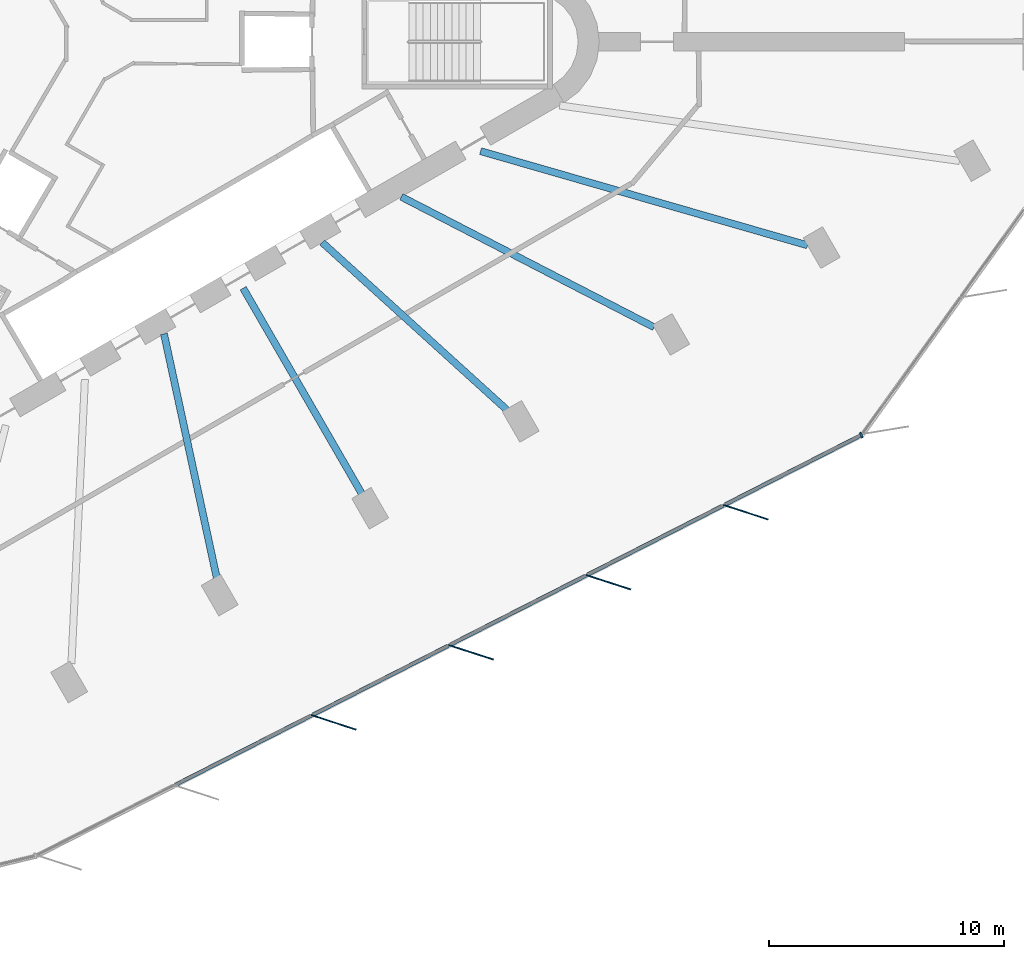
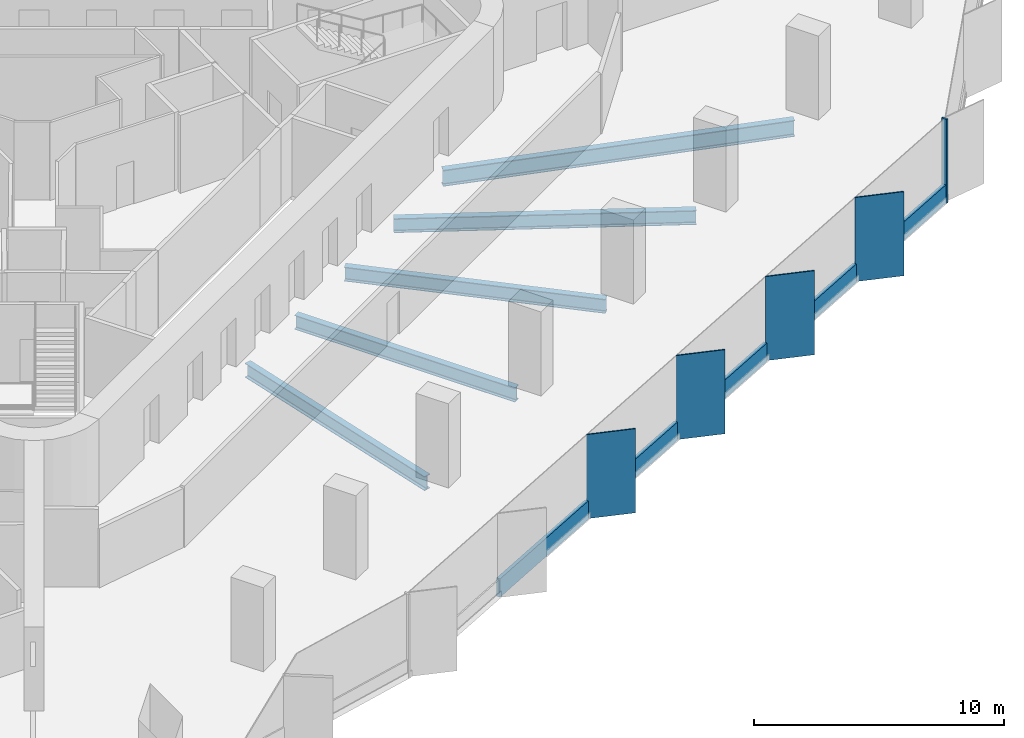
# One storey, part 3 of 14: 10 members, 5 beams, 1 element without a shape of its own.
"""IFC4 building model written with IfcOpenShell, lengths in metres."""

from ifc_helpers import new_model, si_unit, direction, frame, origin, origin_2d, place, context, subcontext, project, spatial, rectangle, i_section, extrude, material, material_profile, profile_set, type_object, element, aggregate, save


model = new_model("IFC4")

# Units and contexts
model_context = context("Model", 3, precision=1e-05, world=origin(), true_north=direction((0.0, 1.0)))
body_context = subcontext(model_context, "Body", "Model", "MODEL_VIEW")
ifc_project = project(units=[si_unit("LENGTHUNIT", "METRE"), si_unit("AREAUNIT", "SQUARE_METRE"), si_unit("VOLUMEUNIT", "CUBIC_METRE"), si_unit("PLANEANGLEUNIT", "RADIAN"), si_unit("MASSUNIT", "GRAM", prefix="KILO")], contexts=[model_context])

# Site, building, storey
site_placement = place(None, origin())
site = spatial("IfcSite", under=ifc_project, at=site_placement, CompositionType="ELEMENT")
building_placement = place(site_placement, origin())
building = spatial("IfcBuilding", under=site, at=building_placement, Name="Tanit Gate Tower", CompositionType="ELEMENT")
storey_placement = place(building_placement, frame((0.0, 0.0, 107.0)))
storey = spatial("IfcBuildingStorey", under=building, at=storey_placement, Name="L22", CompositionType="ELEMENT", Elevation=107.0)

# Curtain wall, members
ifc_material_1 = material(Name="Aluminium bronze anodised and glass", Category="aluminium")
curtain_wall_type = type_object("IfcCurtainWallType", Name="Curtain wall typical low", PredefinedType="NOTDEFINED", material=ifc_material_1)
curtain_wall_placement = place(storey_placement, origin())
curtain_wall = element("IfcCurtainWall", 1, at=curtain_wall_placement, inside=storey, type_object=curtain_wall_type, Name="Curtain wall L22 SE2", PredefinedType="NOTDEFINED")
ifc_material_2 = material(Name="Aluminium bronze anodised", Category="aluminium")
ifc_material_profile_1 = material_profile(ifc_material_2, rectangle(XDim=2.0, YDim=0.055908203125, at=origin_2d()), Name="56x2000 bronze fin mullion")
ifc_profile_set_1 = profile_set([ifc_material_profile_1], Name="Aluminium bronze anodised")
member_type_1 = type_object("IfcMemberType", Name="FIN MULLION 56x2000 bronze", PredefinedType="MULLION", material=ifc_profile_set_1)
member_1_placement = place(storey_placement, frame((9.904052734375, -28.94580078125, -0.300048828125), z_axis=(0.0, 0.0, 1.0), x_axis=(-0.95115950718, 0.308699841109, 0.0)))
member_1 = element("IfcMember", 2, at=member_1_placement, type_object=member_type_1, Name="Fin mullion L22 SE2.3", PredefinedType="MULLION", context=body_context, shape_type="SweptSolid", body=[
    extrude(rectangle(XDim=2.0, YDim=0.055908203125, at=origin_2d()), origin(), (0.0, 0.0, 1.0), 4.10009765625),
])
member_2_placement = place(storey_placement, frame((15.745849609375, -25.966796875, -0.300048828125), z_axis=(0.0, 0.0, 1.0), x_axis=(-0.95115950718, 0.308699841109, 0.0)))
member_2 = element("IfcMember", 3, at=member_2_placement, type_object=member_type_1, Name="Fin mullion L22 SE2.4", PredefinedType="MULLION", context=body_context, shape_type="SweptSolid", body=[
    extrude(rectangle(XDim=2.0, YDim=0.055908203125, at=origin_2d()), origin(), (0.0, 0.0, 1.0), 4.10009765625),
])
member_3_placement = place(storey_placement, frame((21.587890625, -22.98779296875, -0.300048828125), z_axis=(0.0, 0.0, 1.0), x_axis=(-0.95115950718, 0.308699841109, 0.0)))
member_3 = element("IfcMember", 4, at=member_3_placement, type_object=member_type_1, Name="Fin mullion L22 SE2.5", PredefinedType="MULLION", context=body_context, shape_type="SweptSolid", body=[
    extrude(rectangle(XDim=2.0, YDim=0.055908203125, at=origin_2d()), origin(), (0.0, 0.0, 1.0), 4.10009765625),
])
member_4_placement = place(storey_placement, frame((27.429931640625, -20.008544921875, -0.300048828125), z_axis=(0.0, 0.0, 1.0), x_axis=(-0.95115950718, 0.308699841109, 0.0)))
member_4 = element("IfcMember", 5, at=member_4_placement, type_object=member_type_1, Name="Fin mullion L22 SE2.6", PredefinedType="MULLION", context=body_context, shape_type="SweptSolid", body=[
    extrude(rectangle(XDim=2.0, YDim=0.055908203125, at=origin_2d()), origin(), (0.0, 0.0, 1.0), 4.10009765625),
])
ifc_material_3 = material(Name="Aluminium bronze anodised", Category="aluminium")
ifc_material_profile_2 = material_profile(ifc_material_3, rectangle(XDim=0.239990234375, YDim=0.080078125, at=origin_2d()), Name="80x240 bronze mullion")
ifc_profile_set_2 = profile_set([ifc_material_profile_2], Name="Aluminium bronze anodised")
member_type_2 = type_object("IfcMemberType", Name="Mullion 80x240 typical low", PredefinedType="MULLION", material=ifc_profile_set_2)
member_5_placement = place(storey_placement, frame((32.34228515625, -16.727783203125, -0.300048828125), z_axis=(0.0, 0.0, 1.0), x_axis=(-0.454287586518, 0.890855088516, 0.0)))
member_5 = element("IfcMember", 6, at=member_5_placement, type_object=member_type_2, Name="Mullion L22 SE2.7", PredefinedType="MULLION", context=body_context, shape_type="SweptSolid", body=[
    extrude(rectangle(XDim=0.239990234375, YDim=0.080078125, at=origin_2d()), origin(), (0.0, 0.0, 1.0), 4.10009765625),
])

# Beams
ifc_material_4 = material(Name="Steel S355", Category="steel")
ifc_material_profile_3 = material_profile(ifc_material_4, i_section(OverallWidth=0.300048828125, OverallDepth=0.68994140625, WebThickness=0.014404296875, FlangeThickness=0.027099609375, FilletRadius=0.027099609375, at=origin_2d()), Name="HEA 700")
ifc_profile_set_3 = profile_set([ifc_material_profile_3], Name="Steel S355")
beam_type_1 = type_object("IfcBeamType", Name="RADIAL GIRDER HEA 700 S355", PredefinedType="BEAM", material=ifc_profile_set_3)
beam_1_placement = place(storey_placement, frame((4.94140625, -22.85986328125, -0.64501953125), z_axis=(-0.211276115388, 0.977426418236, 0.0), x_axis=(-0.977426418236, -0.211276115388, 0.0)))
element("IfcBeam", 7, at=beam_1_placement, inside=storey, type_object=beam_type_1, Name="RADIAL GIRDER", PredefinedType="BEAM", context=body_context, shape_type="SweptSolid", body=[
    extrude(i_section(OverallWidth=0.300048828125, OverallDepth=0.68994140625, WebThickness=0.014404296875, FlangeThickness=0.027099609375, FilletRadius=0.027099609375, at=origin_2d()), origin(), (0.0, 0.0, 1.0), 10.67724609375),
])
beam_2_placement = place(storey_placement, frame((11.134033203125, -19.28466796875, -0.64501953125), z_axis=(-0.500003096968, 0.866023615742, 0.0), x_axis=(-0.866023615742, -0.500003096968, 0.0)))
element("IfcBeam", 8, at=beam_2_placement, inside=storey, type_object=beam_type_1, Name="RADIAL GIRDER", PredefinedType="BEAM", context=body_context, shape_type="SweptSolid", body=[
    extrude(i_section(OverallWidth=0.300048828125, OverallDepth=0.68994140625, WebThickness=0.014404296875, FlangeThickness=0.027099609375, FilletRadius=0.027099609375, at=origin_2d()), origin(), (0.0, 0.0, 1.0), 10.166015625),
])
beam_3_placement = place(storey_placement, frame((17.326416015625, -15.709228515625, -0.64501953125), z_axis=(-0.740834398556, 0.671687720534, 0.0), x_axis=(-0.671687720534, -0.740834398556, 0.0)))
element("IfcBeam", 9, at=beam_3_placement, inside=storey, type_object=beam_type_1, Name="RADIAL GIRDER", PredefinedType="BEAM", context=body_context, shape_type="SweptSolid", body=[
    extrude(i_section(OverallWidth=0.300048828125, OverallDepth=0.68994140625, WebThickness=0.014404296875, FlangeThickness=0.027099609375, FilletRadius=0.027099609375, at=origin_2d()), origin(), (0.0, 0.0, 1.0), 10.677001953125),
])
beam_4_placement = place(storey_placement, frame((23.530029296875, -12.1396484375, -0.64501953125), z_axis=(-0.888695221305, 0.458498422713, 0.0), x_axis=(-0.458498422713, -0.888695221305, 0.0)))
element("IfcBeam", 10, at=beam_4_placement, inside=storey, type_object=beam_type_1, Name="RADIAL GIRDER", PredefinedType="BEAM", context=body_context, shape_type="SweptSolid", body=[
    extrude(i_section(OverallWidth=0.300048828125, OverallDepth=0.68994140625, WebThickness=0.014404296875, FlangeThickness=0.027099609375, FilletRadius=0.027099609375, at=origin_2d()), origin(), (0.0, 0.0, 1.0), 12.09423828125),
])
ifc_material_5 = material(Name="Steel S355", Category="steel")
ifc_material_profile_4 = material_profile(ifc_material_5, i_section(OverallWidth=0.300048828125, OverallDepth=0.7900390625, WebThickness=0.014892578125, FlangeThickness=0.028076171875, FilletRadius=0.030029296875, at=origin_2d()), Name="HEA 800")
ifc_profile_set_4 = profile_set([ifc_material_profile_4], Name="Steel S355")
beam_type_2 = type_object("IfcBeamType", Name="RADIAL GIRDER HEA 800 S355", PredefinedType="BEAM", material=ifc_profile_set_4)
beam_5_placement = place(storey_placement, frame((30.0546875, -8.657470703125, -0.695068359375), z_axis=(-0.960925208755, 0.276808134236, 0.0), x_axis=(-0.276808134236, -0.960925208755, 0.0)))
element("IfcBeam", 11, at=beam_5_placement, inside=storey, type_object=beam_type_2, Name="RADIAL GIRDER", PredefinedType="BEAM", context=body_context, shape_type="SweptSolid", body=[
    extrude(i_section(OverallWidth=0.300048828125, OverallDepth=0.7900390625, WebThickness=0.014892578125, FlangeThickness=0.028076171875, FilletRadius=0.030029296875, at=origin_2d()), origin(), (0.0, 0.0, 1.0), 14.472412109375),
])

# Member
ifc_material_6 = material(Name="Aluminium bronze anodised", Category="aluminium")
ifc_material_profile_5 = material_profile(ifc_material_6, rectangle(XDim=0.159912109375, YDim=0.89990234375, at=origin_2d()), Name="160x900 bronze transom")
ifc_profile_set_5 = profile_set([ifc_material_profile_5], Name="Aluminium bronze anodised")
member_type_3 = type_object("IfcMemberType", Name="Transom 160x900 typical low", PredefinedType="USERDEFINED", material=ifc_profile_set_5)
member_6_placement = place(storey_placement, frame((3.16796875, -31.60498046875, 0.14990234375), z_axis=(0.890863979718, 0.454270150507, 0.0), x_axis=(-0.454270150507, 0.890863979718, 0.0)))
member_6 = element("IfcMember", 12, at=member_6_placement, type_object=member_type_3, Name="Transom L22 SE2.2", ObjectType="TRANSOM", PredefinedType="USERDEFINED", context=body_context, shape_type="SweptSolid", body=[
    extrude(rectangle(XDim=0.159912109375, YDim=0.89990234375, at=origin_2d()), origin(), (0.0, 0.0, 1.0), 6.477783203125),
])

member_7_placement = place(storey_placement, frame((9.010009765625, -28.6259765625, 0.14990234375), z_axis=(0.89084872685, 0.45430006149, 0.0), x_axis=(-0.45430006149, 0.89084872685, 0.0)))
member_7 = element("IfcMember", 13, at=member_7_placement, type_object=member_type_3, Name="Transom L22 SE2.3", ObjectType="TRANSOM", PredefinedType="USERDEFINED", context=body_context, shape_type="SweptSolid", body=[
    extrude(rectangle(XDim=0.159912109375, YDim=0.89990234375, at=origin_2d()), origin(), (0.0, 0.0, 1.0), 6.477783203125),
])

member_8_placement = place(storey_placement, frame((14.85205078125, -25.64697265625, 0.14990234375), z_axis=(0.890840947934, 0.454315315045, 0.0), x_axis=(-0.454315315045, 0.890840947934, 0.0)))
member_8 = element("IfcMember", 14, at=member_8_placement, type_object=member_type_3, Name="Transom L22 SE2.4", ObjectType="TRANSOM", PredefinedType="USERDEFINED", context=body_context, shape_type="SweptSolid", body=[
    extrude(rectangle(XDim=0.159912109375, YDim=0.89990234375, at=origin_2d()), origin(), (0.0, 0.0, 1.0), 6.4775390625),
])

member_9_placement = place(storey_placement, frame((20.69384765625, -22.667724609375, 0.14990234375), z_axis=(0.890863979718, 0.454270150507, 0.0), x_axis=(-0.454270150507, 0.890863979718, 0.0)))
member_9 = element("IfcMember", 15, at=member_9_placement, type_object=member_type_3, Name="Transom L22 SE2.5", ObjectType="TRANSOM", PredefinedType="USERDEFINED", context=body_context, shape_type="SweptSolid", body=[
    extrude(rectangle(XDim=0.159912109375, YDim=0.89990234375, at=origin_2d()), origin(), (0.0, 0.0, 1.0), 6.477783203125),
])

member_10_placement = place(storey_placement, frame((26.535888671875, -19.688720703125, 0.14990234375), z_axis=(0.89084872685, 0.45430006149, 0.0), x_axis=(-0.45430006149, 0.89084872685, 0.0)))
member_10 = element("IfcMember", 16, at=member_10_placement, type_object=member_type_3, Name="Transom L22 SE2.6", ObjectType="TRANSOM", PredefinedType="USERDEFINED", context=body_context, shape_type="SweptSolid", body=[
    extrude(rectangle(XDim=0.159912109375, YDim=0.89990234375, at=origin_2d()), origin(), (0.0, 0.0, 1.0), 6.477783203125),
])

aggregate(curtain_wall, [member_1, member_2, member_3, member_4, member_5, member_6, member_7, member_8, member_9, member_10])

save(model, "model.ifc")
